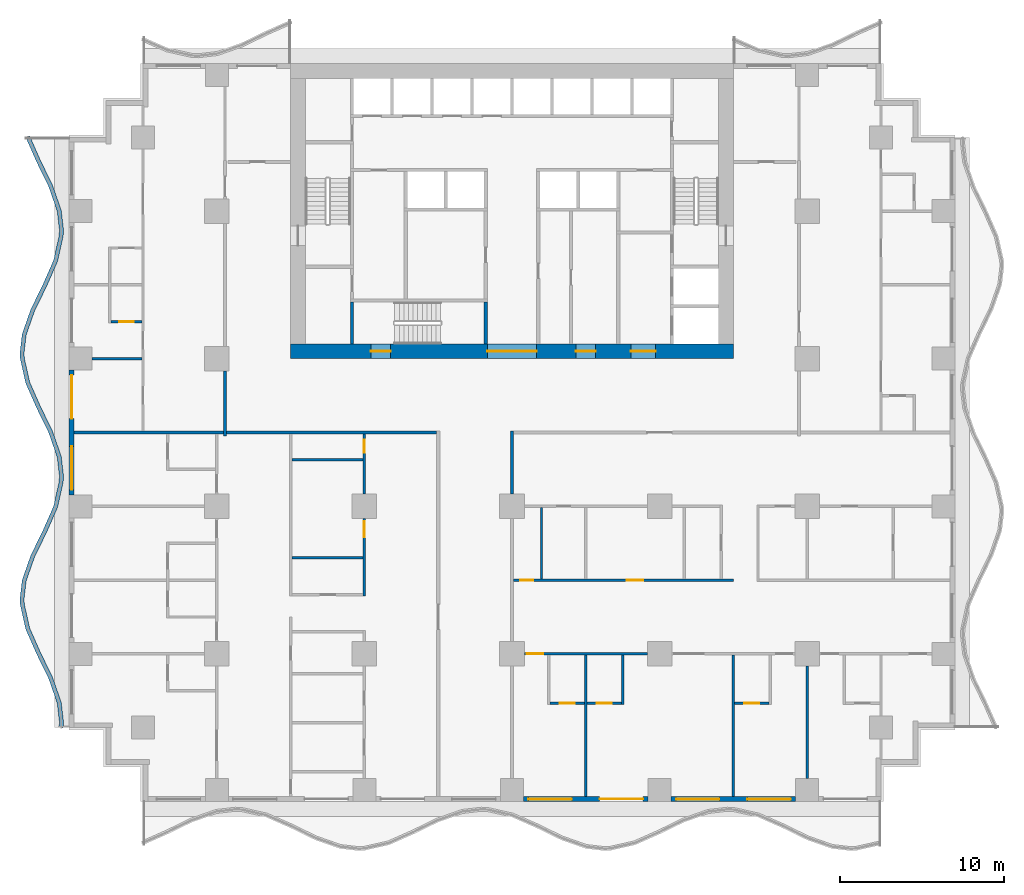
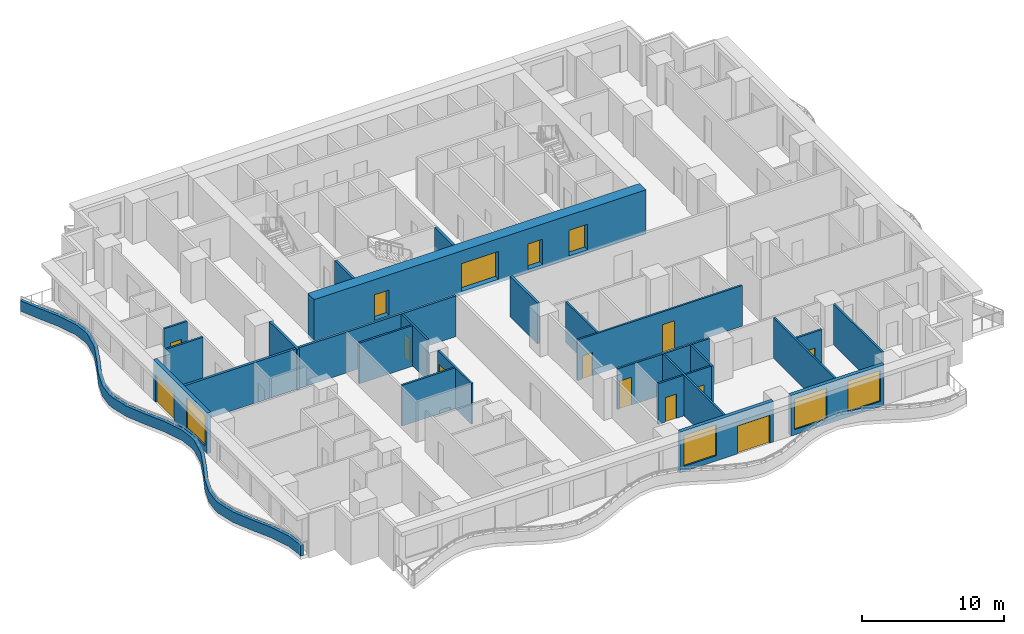
# One storey, part 3 of 14: 27 walls, 15 doors, 4 windows, 19 openings.
"""IFC4 building model written with IfcOpenShell, lengths in metres."""

from ifc_helpers import new_model, si_unit, direction, frame, frame_2d, origin, place, context, subcontext, project, spatial, polyline, rectangle, outline, extrude, material, layer, layer_set, type_object, element, fill, save


model = new_model("IFC4")

# Units and contexts
model_context = context("Model", 3, precision=1e-05, world=origin(), true_north=direction((0.0, 1.0)))
body_context = subcontext(model_context, "Body", "Model", "MODEL_VIEW")
ifc_project = project(units=[si_unit("LENGTHUNIT", "METRE"), si_unit("AREAUNIT", "SQUARE_METRE"), si_unit("VOLUMEUNIT", "CUBIC_METRE"), si_unit("PLANEANGLEUNIT", "RADIAN"), si_unit("MASSUNIT", "GRAM", prefix="KILO")], contexts=[model_context])

# Site, building, storey
site_placement = place(None, origin())
site = spatial("IfcSite", under=ifc_project, at=site_placement, CompositionType="ELEMENT")
building_placement = place(site_placement, origin())
building = spatial("IfcBuilding", under=site, at=building_placement, Name="Orbiselva Terraces", CompositionType="ELEMENT")
storey_placement = place(building_placement, frame((0.0, 0.0, 56.8)))
storey = spatial("IfcBuildingStorey", under=building, at=storey_placement, Name="L14", CompositionType="ELEMENT", Elevation=56.8)

# Wall, openings, doors
ifc_material_1 = material(Name="Concrete C80/95", Category="concrete")
ifc_layer_1 = layer(ifc_material_1, 0.9)
ifc_layer_set_1 = layer_set([ifc_layer_1], Name="Concrete C80/95")
wall_type_1 = type_object("IfcWallType", Name="CORE WALL 900", PredefinedType="SHEAR", material=ifc_layer_set_1)
wall_1_placement = place(storey_placement, frame((-13.5, 4.95, -0.3), z_axis=(0.0, 0.0, 1.0), x_axis=(1.0, 0.0, 0.0)))
wall_1 = element("IfcWall", 1, at=wall_1_placement, inside=storey, type_object=wall_type_1, Name="Core wall L14 south", PredefinedType="SHEAR", context=body_context, shape_type="SweptSolid", body=[
    extrude(rectangle(XDim=27.0, YDim=0.9, at=frame_2d((13.5, 0.0))), origin(), (0.0, 0.0, 1.0), 3.8),
])
opening_1_placement = place(wall_1_placement, frame((12.0, 0.0, 0.3)))
opening_1 = element("IfcOpeningElement", 2, at=opening_1_placement, cuts=wall_1, Name="Opening DL3000", PredefinedType="OPENING", context=body_context, shape_type="SweptSolid", body=[
    extrude(rectangle(XDim=3.0, YDim=2.4, at=frame_2d((1.5, 1.2))), frame((0.0, 0.46, 0.0), z_axis=(0.0, -1.0, 0.0), x_axis=(1.0, 0.0, 0.0)), (0.0, 0.0, 1.0), 0.92),
])
opening_2_placement = place(wall_1_placement, frame((4.9, 0.0, 0.3)))
opening_2 = element("IfcOpeningElement", 3, at=opening_2_placement, cuts=wall_1, Name="Opening DS1200", PredefinedType="OPENING", context=body_context, shape_type="SweptSolid", body=[
    extrude(rectangle(XDim=1.2, YDim=2.2, at=frame_2d((0.6, 1.1))), frame((0.0, 0.46, 0.0), z_axis=(0.0, -1.0, 0.0), x_axis=(1.0, 0.0, 0.0)), (0.0, 0.0, 1.0), 0.92),
])
opening_3_placement = place(wall_1_placement, frame((20.75, 0.0, 0.3)))
opening_3 = element("IfcOpeningElement", 4, at=opening_3_placement, cuts=wall_1, Name="Opening DF1500", PredefinedType="OPENING", context=body_context, shape_type="SweptSolid", body=[
    extrude(rectangle(XDim=1.5, YDim=2.2, at=frame_2d((0.75, 1.1))), frame((0.0, 0.46, 0.0), z_axis=(0.0, -1.0, 0.0), x_axis=(1.0, 0.0, 0.0)), (0.0, 0.0, 1.0), 0.92),
])
opening_4_placement = place(wall_1_placement, frame((17.4, 0.0, 0.3)))
opening_4 = element("IfcOpeningElement", 5, at=opening_4_placement, cuts=wall_1, Name="Opening DV1200", PredefinedType="OPENING", context=body_context, shape_type="SweptSolid", body=[
    extrude(rectangle(XDim=1.2, YDim=2.2, at=frame_2d((0.6, 1.1))), frame((0.0, 0.46, 0.0), z_axis=(0.0, -1.0, 0.0), x_axis=(1.0, 0.0, 0.0)), (0.0, 0.0, 1.0), 0.92),
])
ifc_material_2 = material(Name="Steel fire door", Category="steel")
door_type_1 = type_object("IfcDoorType", Name="FFL DOOR 1500", OperationType="DOUBLE_DOOR_SINGLE_SWING", PredefinedType="DOOR", material=ifc_material_2)
door_1_placement = place(opening_3_placement, frame((1.5, 0.0, 0.0), z_axis=(0.0, 0.0, 1.0), x_axis=(-1.0, 0.0, 0.0)))
door_1 = element("IfcDoor", 6, at=door_1_placement, inside=storey, type_object=door_type_1, Name="L14 FIRE-FIGHTING LOBBY door", OperationType="DOUBLE_DOOR_SINGLE_SWING", OverallHeight=2.2, OverallWidth=1.5, PredefinedType="DOOR", context=body_context, shape_type="SweptSolid", body=[
    extrude(rectangle(XDim=1.5, YDim=2.2, at=frame_2d((0.75, 1.1))), frame((0.0, 0.025, 0.0), z_axis=(0.0, -1.0, 0.0), x_axis=(1.0, 0.0, 0.0)), (0.0, 0.0, 1.0), 0.05),
])
fill(opening_3, door_1)
door_type_2 = type_object("IfcDoorType", Name="LOBBY DOOR 3000", OperationType="DOUBLE_DOOR_SINGLE_SWING", PredefinedType="DOOR", material=ifc_material_2)
door_2_placement = place(opening_1_placement, frame((3.0, 0.0, 0.0), z_axis=(0.0, 0.0, 1.0), x_axis=(-1.0, 0.0, 0.0)))
door_2 = element("IfcDoor", 7, at=door_2_placement, inside=storey, type_object=door_type_2, Name="L14 LIFT LOBBY door", OperationType="DOUBLE_DOOR_SINGLE_SWING", OverallHeight=2.4, OverallWidth=3.0, PredefinedType="DOOR", context=body_context, shape_type="SweptSolid", body=[
    extrude(rectangle(XDim=3.0, YDim=2.4, at=frame_2d((1.5, 1.2))), frame((0.0, 0.025, 0.0), z_axis=(0.0, -1.0, 0.0), x_axis=(1.0, 0.0, 0.0)), (0.0, 0.0, 1.0), 0.05),
])
fill(opening_1, door_2)
door_type_3 = type_object("IfcDoorType", Name="SERVICE DOOR 1200", OperationType="NOTDEFINED", PredefinedType="DOOR", material=ifc_material_2)
door_3_placement = place(opening_4_placement, frame((1.2, 0.0, 0.0), z_axis=(0.0, 0.0, 1.0), x_axis=(-1.0, 0.0, 0.0)))
door_3 = element("IfcDoor", 8, at=door_3_placement, inside=storey, type_object=door_type_3, Name="L14 SERVICE ROOM door", OperationType="SINGLE_SWING_RIGHT", OverallHeight=2.2, OverallWidth=1.2, PredefinedType="DOOR", context=body_context, shape_type="SweptSolid", body=[
    extrude(rectangle(XDim=1.2, YDim=2.2, at=frame_2d((0.6, 1.1))), frame((0.0, 0.025, 0.0), z_axis=(0.0, -1.0, 0.0), x_axis=(1.0, 0.0, 0.0)), (0.0, 0.0, 1.0), 0.05),
])
fill(opening_4, door_3)
door_type_4 = type_object("IfcDoorType", Name="STAIR DOOR 1200", OperationType="NOTDEFINED", PredefinedType="DOOR", material=ifc_material_2)
door_4_placement = place(opening_2_placement, frame((1.2, 0.0, 0.0), z_axis=(0.0, 0.0, 1.0), x_axis=(-1.0, 0.0, 0.0)))
door_4 = element("IfcDoor", 9, at=door_4_placement, inside=storey, type_object=door_type_4, Name="L14 EXIT STAIR S3 door", OperationType="SINGLE_SWING_LEFT", OverallHeight=2.2, OverallWidth=1.2, PredefinedType="DOOR", context=body_context, shape_type="SweptSolid", body=[
    extrude(rectangle(XDim=1.2, YDim=2.2, at=frame_2d((0.6, 1.1))), frame((0.0, 0.025, 0.0), z_axis=(0.0, -1.0, 0.0), x_axis=(1.0, 0.0, 0.0)), (0.0, 0.0, 1.0), 0.05),
])
fill(opening_2, door_4)

# Walls
ifc_material_3 = material(Name="Concrete C60/75", Category="concrete")
ifc_layer_2 = layer(ifc_material_3, 0.2)
ifc_layer_set_2 = layer_set([ifc_layer_2], Name="Concrete C60/75")
wall_type_2 = type_object("IfcWallType", Name="CORE-WALL-SHEAR-200", PredefinedType="SHEAR", material=ifc_layer_set_2)
for number, where, z_axis, x_axis, name in (
    (10, (-9.75, 5.4, 0.0), (0.0, 0.0, 1.0), (0.0, 1.0, 0.0), "L14 core wall 03"),
    (11, (-1.6, 5.4, 0.0), (0.0, 0.0, 1.0), (0.0, 1.0, 0.0), "L14 core wall 19"),
):
    element("IfcWall", number, at=place(storey_placement, frame(where, z_axis=z_axis, x_axis=x_axis)), inside=storey, type_object=wall_type_2, Name=name, PredefinedType="SHEAR", context=body_context, shape_type="SweptSolid", body=[
        extrude(rectangle(XDim=2.55, YDim=0.2, at=frame_2d((1.275, 0.0))), origin(), (0.0, 0.0, 1.0), 3.5),
    ])
ifc_material_4 = material(Name="Concrete C40/50", Category="concrete")
ifc_layer_3 = layer(ifc_material_4, 0.25)
ifc_layer_set_3 = layer_set([ifc_layer_3], Name="Concrete C40/50")
wall_type_3 = type_object("IfcWallType", Name="ENV-PLANTER-250x900", PredefinedType="USERDEFINED", material=ifc_layer_set_3)
wall_2_placement = place(storey_placement, origin())
element("IfcWall", 12, at=wall_2_placement, inside=storey, type_object=wall_type_3, Name="Balcony planter L14 W", ObjectType="PLANTER", PredefinedType="USERDEFINED", context=body_context, shape_type="SweptSolid", body=[
    extrude(outline(polyline([(-29.648528, 18.0), (-28.987721, 16.5), (-28.255211, 15.0), (-27.730792, 13.5), (-27.6, 12.375), (-27.614774, 12.0), (-27.951472, 10.5), (-28.612279, 9.0), (-29.344789, 7.5), (-29.869208, 6.0), (-30.0, 4.875), (-29.985226, 4.5), (-29.648528, 3.0), (-28.987721, 1.5), (-28.255211, 0.0), (-27.730792, -1.5), (-27.6, -2.625), (-27.614774, -3.0), (-27.951472, -4.5), (-28.612279, -6.0), (-29.344789, -7.5), (-29.869208, -9.0), (-30.0, -10.125), (-29.985226, -10.5), (-29.648528, -12.0), (-28.987721, -13.5), (-28.255211, -15.0), (-27.730792, -16.5), (-27.6, -17.625), (-27.614774, -18.0), (-27.364968, -18.009842), (-27.349429, -17.615428), (-27.485662, -16.443629), (-28.024089, -14.90356), (-28.760919, -13.394714), (-29.40993, -11.921492), (-29.736315, -10.467435), (-29.749429, -10.134572), (-29.624078, -9.056371), (-29.113667, -7.59644), (-28.385477, -6.105286), (-27.712874, -4.578508), (-27.365863, -3.032565), (-27.349429, -2.615428), (-27.485662, -1.443629), (-28.024089, 0.09644), (-28.760919, 1.605286), (-29.40993, 3.078508), (-29.736315, 4.532565), (-29.749429, 4.865428), (-29.624078, 5.943629), (-29.113667, 7.40356), (-28.385477, 8.894714), (-27.712874, 10.421492), (-27.365863, 11.967435), (-27.349429, 12.384572), (-27.485662, 13.556371), (-28.024089, 15.09644), (-28.760919, 16.605286), (-29.419745, 18.100788), (-29.648528, 18.0)])), origin(), (0.0, 0.0, 1.0), 0.9),
])

# Wall, openings, door, window
ifc_material_5 = material(Name="Terracotta cladding on masonry backing", Category="masonry")
ifc_layer_4 = layer(ifc_material_5, 0.3)
ifc_layer_set_4 = layer_set([ifc_layer_4], Name="Terracotta cladding on masonry backing")
wall_type_4 = type_object("IfcWallType", Name="ENV-WALL-TERRACOTTA-300", PredefinedType="SOLIDWALL", material=ifc_layer_set_4)
wall_3_placement = place(storey_placement, frame((8.3, -22.35, 0.0), z_axis=(0.0, 0.0, 1.0), x_axis=(-1.0, 0.0, 0.0)))
wall_3 = element("IfcWall", 13, at=wall_3_placement, inside=storey, type_object=wall_type_4, Name="Facade wall L14 S", PredefinedType="SOLIDWALL", context=body_context, shape_type="SweptSolid", body=[
    extrude(rectangle(XDim=7.6, YDim=0.3, at=frame_2d((3.8, 0.0))), origin(), (0.0, 0.0, 1.0), 3.5),
])
opening_5_placement = place(wall_3_placement, frame((4.65, 0.0, 0.45)))
opening_5 = element("IfcOpeningElement", 14, at=opening_5_placement, cuts=wall_3, Name="Opening WN3", PredefinedType="OPENING", context=body_context, shape_type="SweptSolid", body=[
    extrude(rectangle(XDim=2.65, YDim=2.65, at=frame_2d((1.325, 1.325))), frame((0.0, 0.16, 0.0), z_axis=(0.0, -1.0, 0.0), x_axis=(1.0, 0.0, 0.0)), (0.0, 0.0, 1.0), 0.32),
])
opening_6_placement = place(wall_3_placement, frame((0.3, 0.0, 0.0)))
opening_6 = element("IfcOpeningElement", 15, at=opening_6_placement, cuts=wall_3, Name="Opening Z1-E-E03", PredefinedType="OPENING", context=body_context, shape_type="SweptSolid", body=[
    extrude(rectangle(XDim=2.65, YDim=2.4, at=frame_2d((1.325, 1.2))), frame((0.0, 0.16, 0.0), z_axis=(0.0, -1.0, 0.0), x_axis=(1.0, 0.0, 0.0)), (0.0, 0.0, 1.0), 0.32),
])
ifc_material_6 = material(Name="Clear low-e glazing in aluminium frame", Category="aluminium")
door_type_5 = type_object("IfcDoorType", Name="BALCONY DOOR 2650 X 2400", OperationType="DOUBLE_DOOR_SLIDING", PredefinedType="DOOR", material=ifc_material_6)
door_5_placement = place(opening_6_placement, origin())
door_5 = element("IfcDoor", 16, at=door_5_placement, inside=storey, type_object=door_type_5, Name="Z1-E-E03", OperationType="SINGLE_SWING_LEFT", OverallHeight=2.4, OverallWidth=2.65, PredefinedType="DOOR", context=body_context, shape_type="SweptSolid", body=[
    extrude(rectangle(XDim=2.65, YDim=2.4, at=frame_2d((1.325, 1.2))), frame((0.0, 0.025, 0.0), z_axis=(0.0, -1.0, 0.0), x_axis=(1.0, 0.0, 0.0)), (0.0, 0.0, 1.0), 0.05),
])
fill(opening_6, door_5)
window_type = type_object("IfcWindowType", Name="WINDOW 2650 X 2650 S450", PartitioningType="TRIPLE_PANEL_VERTICAL", PredefinedType="WINDOW", material=ifc_material_6)
window_1_placement = place(opening_5_placement, origin())
window_1 = element("IfcWindow", 17, at=window_1_placement, inside=storey, type_object=window_type, Name="Window L14 S", OverallHeight=2.65, OverallWidth=2.65, PartitioningType="SINGLE_PANEL", PredefinedType="WINDOW", context=body_context, shape_type="SweptSolid", body=[
    extrude(rectangle(XDim=2.65, YDim=2.65, at=frame_2d((1.325, 1.325))), frame((0.0, 0.03, 0.0), z_axis=(0.0, -1.0, 0.0), x_axis=(1.0, 0.0, 0.0)), (0.0, 0.0, 1.0), 0.06),
])
fill(opening_5, window_1)

# Wall, openings, windows
wall_4_placement = place(storey_placement, frame((17.3, -22.35, 0.0), z_axis=(0.0, 0.0, 1.0), x_axis=(-1.0, 0.0, 0.0)))
wall_4 = element("IfcWall", 18, at=wall_4_placement, inside=storey, type_object=wall_type_4, Name="Facade wall L14 S", PredefinedType="SOLIDWALL", context=body_context, shape_type="SweptSolid", body=[
    extrude(rectangle(XDim=7.6, YDim=0.3, at=frame_2d((3.8, 0.0))), origin(), (0.0, 0.0, 1.0), 3.5),
])
opening_7_placement = place(wall_4_placement, frame((4.65, 0.0, 0.45)))
opening_7 = element("IfcOpeningElement", 19, at=opening_7_placement, cuts=wall_4, Name="Opening WN3", PredefinedType="OPENING", context=body_context, shape_type="SweptSolid", body=[
    extrude(rectangle(XDim=2.65, YDim=2.65, at=frame_2d((1.325, 1.325))), frame((0.0, 0.16, 0.0), z_axis=(0.0, -1.0, 0.0), x_axis=(1.0, 0.0, 0.0)), (0.0, 0.0, 1.0), 0.32),
])
opening_8_placement = place(wall_4_placement, frame((0.3, 0.0, 0.45)))
opening_8 = element("IfcOpeningElement", 20, at=opening_8_placement, cuts=wall_4, Name="Opening WN3", PredefinedType="OPENING", context=body_context, shape_type="SweptSolid", body=[
    extrude(rectangle(XDim=2.65, YDim=2.65, at=frame_2d((1.325, 1.325))), frame((0.0, 0.16, 0.0), z_axis=(0.0, -1.0, 0.0), x_axis=(1.0, 0.0, 0.0)), (0.0, 0.0, 1.0), 0.32),
])
window_2_placement = place(opening_7_placement, origin())
window_2 = element("IfcWindow", 21, at=window_2_placement, inside=storey, type_object=window_type, Name="Window L14 S", OverallHeight=2.65, OverallWidth=2.65, PartitioningType="SINGLE_PANEL", PredefinedType="WINDOW", context=body_context, shape_type="SweptSolid", body=[
    extrude(rectangle(XDim=2.65, YDim=2.65, at=frame_2d((1.325, 1.325))), frame((0.0, 0.03, 0.0), z_axis=(0.0, -1.0, 0.0), x_axis=(1.0, 0.0, 0.0)), (0.0, 0.0, 1.0), 0.06),
])
fill(opening_7, window_2)
window_3_placement = place(opening_8_placement, origin())
window_3 = element("IfcWindow", 22, at=window_3_placement, inside=storey, type_object=window_type, Name="Window L14 S", OverallHeight=2.65, OverallWidth=2.65, PartitioningType="SINGLE_PANEL", PredefinedType="WINDOW", context=body_context, shape_type="SweptSolid", body=[
    extrude(rectangle(XDim=2.65, YDim=2.65, at=frame_2d((1.325, 1.325))), frame((0.0, 0.03, 0.0), z_axis=(0.0, -1.0, 0.0), x_axis=(1.0, 0.0, 0.0)), (0.0, 0.0, 1.0), 0.06),
])
fill(opening_8, window_3)

# Wall, openings, door, window
wall_5_placement = place(storey_placement, frame((-26.85, -3.8, 0.0), z_axis=(0.0, 0.0, 1.0), x_axis=(0.0, 1.0, 0.0)))
wall_5 = element("IfcWall", 23, at=wall_5_placement, inside=storey, type_object=wall_type_4, Name="Facade wall L14 W", PredefinedType="SOLIDWALL", context=body_context, shape_type="SweptSolid", body=[
    extrude(rectangle(XDim=7.6, YDim=0.3, at=frame_2d((3.8, 0.0))), origin(), (0.0, 0.0, 1.0), 3.5),
])
opening_9_placement = place(wall_5_placement, frame((4.65, 0.0, 0.0)))
opening_9 = element("IfcOpeningElement", 24, at=opening_9_placement, cuts=wall_5, Name="Opening Z1-E-E11", PredefinedType="OPENING", context=body_context, shape_type="SweptSolid", body=[
    extrude(rectangle(XDim=2.65, YDim=2.4, at=frame_2d((1.325, 1.2))), frame((0.0, 0.16, 0.0), z_axis=(0.0, -1.0, 0.0), x_axis=(1.0, 0.0, 0.0)), (0.0, 0.0, 1.0), 0.32),
])
opening_10_placement = place(wall_5_placement, frame((0.3, 0.0, 0.45)))
opening_10 = element("IfcOpeningElement", 25, at=opening_10_placement, cuts=wall_5, Name="Opening WN3", PredefinedType="OPENING", context=body_context, shape_type="SweptSolid", body=[
    extrude(rectangle(XDim=2.65, YDim=2.65, at=frame_2d((1.325, 1.325))), frame((0.0, 0.16, 0.0), z_axis=(0.0, -1.0, 0.0), x_axis=(1.0, 0.0, 0.0)), (0.0, 0.0, 1.0), 0.32),
])
door_6_placement = place(opening_9_placement, origin())
door_6 = element("IfcDoor", 26, at=door_6_placement, inside=storey, type_object=door_type_5, Name="Z1-E-E11", OperationType="SINGLE_SWING_LEFT", OverallHeight=2.4, OverallWidth=2.65, PredefinedType="DOOR", context=body_context, shape_type="SweptSolid", body=[
    extrude(rectangle(XDim=2.65, YDim=2.4, at=frame_2d((1.325, 1.2))), frame((0.0, 0.025, 0.0), z_axis=(0.0, -1.0, 0.0), x_axis=(1.0, 0.0, 0.0)), (0.0, 0.0, 1.0), 0.05),
])
fill(opening_9, door_6)
window_4_placement = place(opening_10_placement, origin())
window_4 = element("IfcWindow", 27, at=window_4_placement, inside=storey, type_object=window_type, Name="Window L14 W", OverallHeight=2.65, OverallWidth=2.65, PartitioningType="SINGLE_PANEL", PredefinedType="WINDOW", context=body_context, shape_type="SweptSolid", body=[
    extrude(rectangle(XDim=2.65, YDim=2.65, at=frame_2d((1.325, 1.325))), frame((0.0, 0.03, 0.0), z_axis=(0.0, -1.0, 0.0), x_axis=(1.0, 0.0, 0.0)), (0.0, 0.0, 1.0), 0.06),
])
fill(opening_10, window_4)

# Walls
ifc_material_7 = material(Name="Plasterboard on steel stud partition", Category="steel")
ifc_layer_5 = layer(ifc_material_7, 0.2)
ifc_layer_set_5 = layer_set([ifc_layer_5], Name="Plasterboard on steel stud partition")
wall_type_5 = type_object("IfcWallType", Name="UNIT-ENTRANCE-WALL-200", PredefinedType="PARTITIONING", material=ifc_layer_set_5)
wall_6_placement = place(storey_placement, frame((-17.4, 0.0, 0.0), z_axis=(0.0, 0.0, 1.0), x_axis=(1.0, 0.0, 0.0)))
element("IfcWall", 28, at=wall_6_placement, inside=storey, type_object=wall_type_5, Name="PARTITION L14-029", PredefinedType="PARTITIONING", context=body_context, shape_type="SweptSolid", body=[
    extrude(rectangle(XDim=12.8, YDim=0.2, at=frame_2d((6.4, 0.0))), origin(), (0.0, 0.0, 1.0), 3.5),
])
wall_7_placement = place(storey_placement, frame((-17.5, -0.2, 0.0), z_axis=(0.0, 0.0, 1.0), x_axis=(0.0, 1.0, 0.0)))
element("IfcWall", 29, at=wall_7_placement, inside=storey, type_object=wall_type_5, Name="PARTITION L14-053", PredefinedType="PARTITIONING", context=body_context, shape_type="SweptSolid", body=[
    extrude(rectangle(XDim=3.95, YDim=0.2, at=frame_2d((1.975, 0.0))), origin(), (0.0, 0.0, 1.0), 3.5),
])
wall_8_placement = place(storey_placement, frame((0.0, -3.75, 0.0), z_axis=(0.0, 0.0, 1.0), x_axis=(0.0, 1.0, 0.0)))
element("IfcWall", 30, at=wall_8_placement, inside=storey, type_object=wall_type_5, Name="PARTITION L14-066", PredefinedType="PARTITIONING", context=body_context, shape_type="SweptSolid", body=[
    extrude(rectangle(XDim=3.85, YDim=0.2, at=frame_2d((1.925, 0.0))), origin(), (0.0, 0.0, 1.0), 3.5),
])

# Wall, opening, door
ifc_layer_6 = layer(ifc_material_7, 0.15)
ifc_layer_set_6 = layer_set([ifc_layer_6], Name="Plasterboard on steel stud partition")
wall_type_6 = type_object("IfcWallType", Name="UNIT-PARTITION-150", PredefinedType="PARTITIONING", material=ifc_layer_set_6)
wall_9_placement = place(storey_placement, frame((2.325, -16.5, 0.0), z_axis=(0.0, 0.0, 1.0), x_axis=(1.0, 0.0, 0.0)))
wall_9 = element("IfcWall", 31, at=wall_9_placement, inside=storey, type_object=wall_type_6, Name="PARTITION L14-003", PredefinedType="PARTITIONING", context=body_context, shape_type="SweptSolid", body=[
    extrude(rectangle(XDim=2.1, YDim=0.15, at=frame_2d((1.05, 0.0))), origin(), (0.0, 0.0, 1.0), 3.5),
])
opening_11_placement = place(wall_9_placement, frame((0.6, 0.0, 0.0)))
opening_11 = element("IfcOpeningElement", 32, at=opening_11_placement, cuts=wall_9, Name="Opening Z1-E-40", PredefinedType="OPENING", context=body_context, shape_type="SweptSolid", body=[
    extrude(rectangle(XDim=0.9, YDim=2.1, at=frame_2d((0.45, 1.05))), frame((0.0, 0.085, 0.0), z_axis=(0.0, -1.0, 0.0), x_axis=(1.0, 0.0, 0.0)), (0.0, 0.0, 1.0), 0.17),
])
ifc_material_8 = material(Name="Painted timber door leaf", Category="wood")
door_type_6 = type_object("IfcDoorType", Name="BATH DOOR 900", OperationType="NOTDEFINED", PredefinedType="DOOR", material=ifc_material_8)
door_7_placement = place(opening_11_placement, origin())
door_7 = element("IfcDoor", 33, at=door_7_placement, inside=storey, type_object=door_type_6, Name="Z1-E-40", OperationType="SINGLE_SWING_RIGHT", OverallHeight=2.1, OverallWidth=0.9, PredefinedType="DOOR", context=body_context, shape_type="SweptSolid", body=[
    extrude(rectangle(XDim=0.9, YDim=2.1, at=frame_2d((0.45, 1.05))), frame((0.0, 0.025, 0.0), z_axis=(0.0, -1.0, 0.0), x_axis=(1.0, 0.0, 0.0)), (0.0, 0.0, 1.0), 0.05),
])
fill(opening_11, door_7)

wall_10_placement = place(storey_placement, frame((4.575, -16.5, 0.0), z_axis=(0.0, 0.0, 1.0), x_axis=(1.0, 0.0, 0.0)))
wall_10 = element("IfcWall", 34, at=wall_10_placement, inside=storey, type_object=wall_type_6, Name="PARTITION L14-004", PredefinedType="PARTITIONING", context=body_context, shape_type="SweptSolid", body=[
    extrude(rectangle(XDim=2.1, YDim=0.15, at=frame_2d((1.05, 0.0))), origin(), (0.0, 0.0, 1.0), 3.5),
])
opening_12_placement = place(wall_10_placement, frame((0.6, 0.0, 0.0)))
opening_12 = element("IfcOpeningElement", 35, at=opening_12_placement, cuts=wall_10, Name="Opening Z1-E-42", PredefinedType="OPENING", context=body_context, shape_type="SweptSolid", body=[
    extrude(rectangle(XDim=0.9, YDim=2.1, at=frame_2d((0.45, 1.05))), frame((0.0, 0.085, 0.0), z_axis=(0.0, -1.0, 0.0), x_axis=(1.0, 0.0, 0.0)), (0.0, 0.0, 1.0), 0.17),
])
door_8_placement = place(opening_12_placement, origin())
door_8 = element("IfcDoor", 36, at=door_8_placement, inside=storey, type_object=door_type_6, Name="Z1-E-42", OperationType="SINGLE_SWING_LEFT", OverallHeight=2.1, OverallWidth=0.9, PredefinedType="DOOR", context=body_context, shape_type="SweptSolid", body=[
    extrude(rectangle(XDim=0.9, YDim=2.1, at=frame_2d((0.45, 1.05))), frame((0.0, 0.025, 0.0), z_axis=(0.0, -1.0, 0.0), x_axis=(1.0, 0.0, 0.0)), (0.0, 0.0, 1.0), 0.05),
])
fill(opening_12, door_8)

wall_11_placement = place(storey_placement, frame((13.575, -16.5, 0.0), z_axis=(0.0, 0.0, 1.0), x_axis=(1.0, 0.0, 0.0)))
wall_11 = element("IfcWall", 37, at=wall_11_placement, inside=storey, type_object=wall_type_6, Name="PARTITION L14-005", PredefinedType="PARTITIONING", context=body_context, shape_type="SweptSolid", body=[
    extrude(rectangle(XDim=2.1, YDim=0.15, at=frame_2d((1.05, 0.0))), origin(), (0.0, 0.0, 1.0), 3.5),
])
opening_13_placement = place(wall_11_placement, frame((0.6, 0.0, 0.0)))
opening_13 = element("IfcOpeningElement", 38, at=opening_13_placement, cuts=wall_11, Name="Opening Z1-E-44", PredefinedType="OPENING", context=body_context, shape_type="SweptSolid", body=[
    extrude(rectangle(XDim=0.9, YDim=2.1, at=frame_2d((0.45, 1.05))), frame((0.0, 0.085, 0.0), z_axis=(0.0, -1.0, 0.0), x_axis=(1.0, 0.0, 0.0)), (0.0, 0.0, 1.0), 0.17),
])
door_9_placement = place(opening_13_placement, origin())
door_9 = element("IfcDoor", 39, at=door_9_placement, inside=storey, type_object=door_type_6, Name="Z1-E-44", OperationType="SINGLE_SWING_LEFT", OverallHeight=2.1, OverallWidth=0.9, PredefinedType="DOOR", context=body_context, shape_type="SweptSolid", body=[
    extrude(rectangle(XDim=0.9, YDim=2.1, at=frame_2d((0.45, 1.05))), frame((0.0, 0.025, 0.0), z_axis=(0.0, -1.0, 0.0), x_axis=(1.0, 0.0, 0.0)), (0.0, 0.0, 1.0), 0.05),
])
fill(opening_13, door_9)

wall_12_placement = place(storey_placement, frame((8.25, -13.5, 0.0), z_axis=(0.0, 0.0, 1.0), x_axis=(-1.0, 0.0, 0.0)))
wall_12 = element("IfcWall", 40, at=wall_12_placement, inside=storey, type_object=wall_type_6, Name="PARTITION L14-010", PredefinedType="PARTITIONING", context=body_context, shape_type="SweptSolid", body=[
    extrude(rectangle(XDim=7.5, YDim=0.15, at=frame_2d((3.75, 0.0))), origin(), (0.0, 0.0, 1.0), 3.5),
])
opening_14_placement = place(wall_12_placement, frame((6.35, 0.0, 0.0)))
opening_14 = element("IfcOpeningElement", 41, at=opening_14_placement, cuts=wall_12, Name="Opening Z1-E-39", PredefinedType="OPENING", context=body_context, shape_type="SweptSolid", body=[
    extrude(rectangle(XDim=1.0, YDim=2.4, at=frame_2d((0.5, 1.2))), frame((0.0, 0.085, 0.0), z_axis=(0.0, -1.0, 0.0), x_axis=(1.0, 0.0, 0.0)), (0.0, 0.0, 1.0), 0.17),
])
door_type_7 = type_object("IfcDoorType", Name="ROOM DOOR 1000", OperationType="NOTDEFINED", PredefinedType="DOOR", material=ifc_material_8)
door_10_placement = place(opening_14_placement, origin())
door_10 = element("IfcDoor", 42, at=door_10_placement, inside=storey, type_object=door_type_7, Name="Z1-E-39", OperationType="SINGLE_SWING_RIGHT", OverallHeight=2.4, OverallWidth=1.0, PredefinedType="DOOR", context=body_context, shape_type="SweptSolid", body=[
    extrude(rectangle(XDim=1.0, YDim=2.4, at=frame_2d((0.5, 1.2))), frame((0.0, 0.025, 0.0), z_axis=(0.0, -1.0, 0.0), x_axis=(1.0, 0.0, 0.0)), (0.0, 0.0, 1.0), 0.05),
])
fill(opening_14, door_10)

# Wall, openings, doors
wall_13_placement = place(storey_placement, frame((0.1, -9.0, 0.0), z_axis=(0.0, 0.0, 1.0), x_axis=(1.0, 0.0, 0.0)))
wall_13 = element("IfcWall", 43, at=wall_13_placement, inside=storey, type_object=wall_type_6, Name="PARTITION L14-018", PredefinedType="PARTITIONING", context=body_context, shape_type="SweptSolid", body=[
    extrude(rectangle(XDim=13.4, YDim=0.15, at=frame_2d((6.7, 0.0))), origin(), (0.0, 0.0, 1.0), 3.5),
])
opening_15_placement = place(wall_13_placement, frame((0.4, 0.0, 0.0)))
opening_15 = element("IfcOpeningElement", 44, at=opening_15_placement, cuts=wall_13, Name="Opening Z1-E-32", PredefinedType="OPENING", context=body_context, shape_type="SweptSolid", body=[
    extrude(rectangle(XDim=0.8, YDim=2.0, at=frame_2d((0.4, 1.0))), frame((0.0, 0.085, 0.0), z_axis=(0.0, -1.0, 0.0), x_axis=(1.0, 0.0, 0.0)), (0.0, 0.0, 1.0), 0.17),
])
opening_16_placement = place(wall_13_placement, frame((6.9, 0.0, 0.0)))
opening_16 = element("IfcOpeningElement", 45, at=opening_16_placement, cuts=wall_13, Name="Opening Z1-E-34", PredefinedType="OPENING", context=body_context, shape_type="SweptSolid", body=[
    extrude(rectangle(XDim=1.0, YDim=2.4, at=frame_2d((0.5, 1.2))), frame((0.0, 0.085, 0.0), z_axis=(0.0, -1.0, 0.0), x_axis=(1.0, 0.0, 0.0)), (0.0, 0.0, 1.0), 0.17),
])
door_11_placement = place(opening_16_placement, origin())
door_11 = element("IfcDoor", 46, at=door_11_placement, inside=storey, type_object=door_type_7, Name="Z1-E-34", OperationType="SINGLE_SWING_RIGHT", OverallHeight=2.4, OverallWidth=1.0, PredefinedType="DOOR", context=body_context, shape_type="SweptSolid", body=[
    extrude(rectangle(XDim=1.0, YDim=2.4, at=frame_2d((0.5, 1.2))), frame((0.0, 0.025, 0.0), z_axis=(0.0, -1.0, 0.0), x_axis=(1.0, 0.0, 0.0)), (0.0, 0.0, 1.0), 0.05),
])
fill(opening_16, door_11)
door_type_8 = type_object("IfcDoorType", Name="STORE DOOR 800", OperationType="NOTDEFINED", PredefinedType="DOOR", material=ifc_material_8)
door_12_placement = place(opening_15_placement, origin())
door_12 = element("IfcDoor", 47, at=door_12_placement, inside=storey, type_object=door_type_8, Name="Z1-E-32", OperationType="SINGLE_SWING_LEFT", OverallHeight=2.0, OverallWidth=0.8, PredefinedType="DOOR", context=body_context, shape_type="SweptSolid", body=[
    extrude(rectangle(XDim=0.8, YDim=2.0, at=frame_2d((0.4, 1.0))), frame((0.0, 0.025, 0.0), z_axis=(0.0, -1.0, 0.0), x_axis=(1.0, 0.0, 0.0)), (0.0, 0.0, 1.0), 0.05),
])
fill(opening_15, door_12)

# Walls
for number, where, z_axis, x_axis, name in (
    (48, (-13.425, -7.65, 0.0), (0.0, 0.0, 1.0), (1.0, 0.0, 0.0), "PARTITION L14-020"),
    (49, (-13.425, -1.65, 0.0), (0.0, 0.0, 1.0), (1.0, 0.0, 0.0), "PARTITION L14-028"),
):
    element("IfcWall", number, at=place(storey_placement, frame(where, z_axis=z_axis, x_axis=x_axis)), inside=storey, type_object=wall_type_6, Name=name, PredefinedType="PARTITIONING", context=body_context, shape_type="SweptSolid", body=[
        extrude(rectangle(XDim=4.35, YDim=0.15, at=frame_2d((2.175, 0.0))), origin(), (0.0, 0.0, 1.0), 3.5),
    ])
wall_14_placement = place(storey_placement, frame((-25.6, 4.5, 0.0), z_axis=(0.0, 0.0, 1.0), x_axis=(1.0, 0.0, 0.0)))
element("IfcWall", 50, at=wall_14_placement, inside=storey, type_object=wall_type_6, Name="PARTITION L14-034", PredefinedType="PARTITIONING", context=body_context, shape_type="SweptSolid", body=[
    extrude(rectangle(XDim=3.025, YDim=0.15, at=frame_2d((1.5125, 0.0))), origin(), (0.0, 0.0, 1.0), 3.5),
])

# Wall, opening, door
wall_15_placement = place(storey_placement, frame((-24.45, 6.75, 0.0), z_axis=(0.0, 0.0, 1.0), x_axis=(1.0, 0.0, 0.0)))
wall_15 = element("IfcWall", 51, at=wall_15_placement, inside=storey, type_object=wall_type_6, Name="PARTITION L14-035", PredefinedType="PARTITIONING", context=body_context, shape_type="SweptSolid", body=[
    extrude(rectangle(XDim=1.875, YDim=0.15, at=frame_2d((0.9375, 0.0))), origin(), (0.0, 0.0, 1.0), 3.5),
])
opening_17_placement = place(wall_15_placement, frame((0.5, 0.0, 0.0)))
opening_17 = element("IfcOpeningElement", 52, at=opening_17_placement, cuts=wall_15, Name="Opening Z1-E-06", PredefinedType="OPENING", context=body_context, shape_type="SweptSolid", body=[
    extrude(rectangle(XDim=0.9, YDim=2.1, at=frame_2d((0.45, 1.05))), frame((0.0, 0.085, 0.0), z_axis=(0.0, -1.0, 0.0), x_axis=(1.0, 0.0, 0.0)), (0.0, 0.0, 1.0), 0.17),
])
door_13_placement = place(opening_17_placement, origin())
door_13 = element("IfcDoor", 53, at=door_13_placement, inside=storey, type_object=door_type_6, Name="Z1-E-06", OperationType="SINGLE_SWING_RIGHT", OverallHeight=2.1, OverallWidth=0.9, PredefinedType="DOOR", context=body_context, shape_type="SweptSolid", body=[
    extrude(rectangle(XDim=0.9, YDim=2.1, at=frame_2d((0.45, 1.05))), frame((0.0, 0.025, 0.0), z_axis=(0.0, -1.0, 0.0), x_axis=(1.0, 0.0, 0.0)), (0.0, 0.0, 1.0), 0.05),
])
fill(opening_17, door_13)

wall_16_placement = place(storey_placement, frame((-9.0, -9.975, 0.0), z_axis=(0.0, 0.0, 1.0), x_axis=(0.0, 1.0, 0.0)))
wall_16 = element("IfcWall", 54, at=wall_16_placement, inside=storey, type_object=wall_type_6, Name="PARTITION L14-061", PredefinedType="PARTITIONING", context=body_context, shape_type="SweptSolid", body=[
    extrude(rectangle(XDim=4.725, YDim=0.15, at=frame_2d((2.3625, 0.0))), origin(), (0.0, 0.0, 1.0), 3.5),
])
opening_18_placement = place(wall_16_placement, frame((3.575, 0.0, 0.0)))
opening_18 = element("IfcOpeningElement", 55, at=opening_18_placement, cuts=wall_16, Name="Opening Z1-E-17", PredefinedType="OPENING", context=body_context, shape_type="SweptSolid", body=[
    extrude(rectangle(XDim=1.0, YDim=2.4, at=frame_2d((0.5, 1.2))), frame((0.0, 0.085, 0.0), z_axis=(0.0, -1.0, 0.0), x_axis=(1.0, 0.0, 0.0)), (0.0, 0.0, 1.0), 0.17),
])
door_14_placement = place(opening_18_placement, origin())
door_14 = element("IfcDoor", 56, at=door_14_placement, inside=storey, type_object=door_type_7, Name="Z1-E-17", OperationType="SINGLE_SWING_RIGHT", OverallHeight=2.4, OverallWidth=1.0, PredefinedType="DOOR", context=body_context, shape_type="SweptSolid", body=[
    extrude(rectangle(XDim=1.0, YDim=2.4, at=frame_2d((0.5, 1.2))), frame((0.0, 0.025, 0.0), z_axis=(0.0, -1.0, 0.0), x_axis=(1.0, 0.0, 0.0)), (0.0, 0.0, 1.0), 0.05),
])
fill(opening_18, door_14)

wall_17_placement = place(storey_placement, frame((-9.0, -3.75, 0.0), z_axis=(0.0, 0.0, 1.0), x_axis=(0.0, 1.0, 0.0)))
wall_17 = element("IfcWall", 57, at=wall_17_placement, inside=storey, type_object=wall_type_6, Name="PARTITION L14-062", PredefinedType="PARTITIONING", context=body_context, shape_type="SweptSolid", body=[
    extrude(rectangle(XDim=3.65, YDim=0.15, at=frame_2d((1.825, 0.0))), origin(), (0.0, 0.0, 1.0), 3.5),
])
opening_19_placement = place(wall_17_placement, frame((2.5, 0.0, 0.0)))
opening_19 = element("IfcOpeningElement", 58, at=opening_19_placement, cuts=wall_17, Name="Opening Z1-E-16", PredefinedType="OPENING", context=body_context, shape_type="SweptSolid", body=[
    extrude(rectangle(XDim=0.8, YDim=2.0, at=frame_2d((0.4, 1.0))), frame((0.0, 0.085, 0.0), z_axis=(0.0, -1.0, 0.0), x_axis=(1.0, 0.0, 0.0)), (0.0, 0.0, 1.0), 0.17),
])
door_15_placement = place(opening_19_placement, origin())
door_15 = element("IfcDoor", 59, at=door_15_placement, inside=storey, type_object=door_type_8, Name="Z1-E-16", OperationType="SINGLE_SWING_RIGHT", OverallHeight=2.0, OverallWidth=0.8, PredefinedType="DOOR", context=body_context, shape_type="SweptSolid", body=[
    extrude(rectangle(XDim=0.8, YDim=2.0, at=frame_2d((0.4, 1.0))), frame((0.0, 0.025, 0.0), z_axis=(0.0, -1.0, 0.0), x_axis=(1.0, 0.0, 0.0)), (0.0, 0.0, 1.0), 0.05),
])
fill(opening_19, door_15)

# Walls
wall_18_placement = place(storey_placement, frame((1.8, -8.925, 0.0), z_axis=(0.0, 0.0, 1.0), x_axis=(0.0, 1.0, 0.0)))
element("IfcWall", 60, at=wall_18_placement, inside=storey, type_object=wall_type_6, Name="PARTITION L14-067", PredefinedType="PARTITIONING", context=body_context, shape_type="SweptSolid", body=[
    extrude(rectangle(XDim=4.35, YDim=0.15, at=frame_2d((2.175, 0.0))), origin(), (0.0, 0.0, 1.0), 3.5),
])
wall_19_placement = place(storey_placement, frame((4.5, -22.2, 0.0), z_axis=(0.0, 0.0, 1.0), x_axis=(0.0, 1.0, 0.0)))
element("IfcWall", 61, at=wall_19_placement, inside=storey, type_object=wall_type_6, Name="PARTITION L14-069", PredefinedType="PARTITIONING", context=body_context, shape_type="SweptSolid", body=[
    extrude(rectangle(XDim=8.625, YDim=0.15, at=frame_2d((4.3125, 0.0))), origin(), (0.0, 0.0, 1.0), 3.5),
])
wall_20_placement = place(storey_placement, frame((6.75, -16.575, 0.0), z_axis=(0.0, 0.0, 1.0), x_axis=(0.0, 1.0, 0.0)))
element("IfcWall", 62, at=wall_20_placement, inside=storey, type_object=wall_type_6, Name="PARTITION L14-071", PredefinedType="PARTITIONING", context=body_context, shape_type="SweptSolid", body=[
    extrude(rectangle(XDim=3.0, YDim=0.15, at=frame_2d((1.5, 0.0))), origin(), (0.0, 0.0, 1.0), 3.5),
])
wall_21_placement = place(storey_placement, frame((13.5, -22.2, 0.0), z_axis=(0.0, 0.0, 1.0), x_axis=(0.0, 1.0, 0.0)))
element("IfcWall", 63, at=wall_21_placement, inside=storey, type_object=wall_type_6, Name="PARTITION L14-074", PredefinedType="PARTITIONING", context=body_context, shape_type="SweptSolid", body=[
    extrude(rectangle(XDim=8.625, YDim=0.15, at=frame_2d((4.3125, 0.0))), origin(), (0.0, 0.0, 1.0), 3.5),
])
wall_22_placement = place(storey_placement, frame((18.0, -21.1, 0.0), z_axis=(0.0, 0.0, 1.0), x_axis=(0.0, 1.0, 0.0)))
element("IfcWall", 64, at=wall_22_placement, inside=storey, type_object=wall_type_6, Name="PARTITION L14-081", PredefinedType="PARTITIONING", context=body_context, shape_type="SweptSolid", body=[
    extrude(rectangle(XDim=6.85, YDim=0.15, at=frame_2d((3.425, 0.0))), origin(), (0.0, 0.0, 1.0), 3.5),
])
ifc_layer_7 = layer(ifc_material_7, 0.2)
ifc_layer_set_7 = layer_set([ifc_layer_7], Name="Plasterboard on steel stud partition")
wall_type_7 = type_object("IfcWallType", Name="UNIT-PARTY-WALL-200", PredefinedType="PARTITIONING", material=ifc_layer_set_7)
wall_23_placement = place(storey_placement, frame((-26.7, 0.0, 0.0), z_axis=(0.0, 0.0, 1.0), x_axis=(1.0, 0.0, 0.0)))
element("IfcWall", 65, at=wall_23_placement, inside=storey, type_object=wall_type_7, Name="PARTITION L14-031", PredefinedType="PARTITIONING", context=body_context, shape_type="SweptSolid", body=[
    extrude(rectangle(XDim=9.1, YDim=0.2, at=frame_2d((4.55, 0.0))), origin(), (0.0, 0.0, 1.0), 3.5),
])

save(model, "model.ifc")
